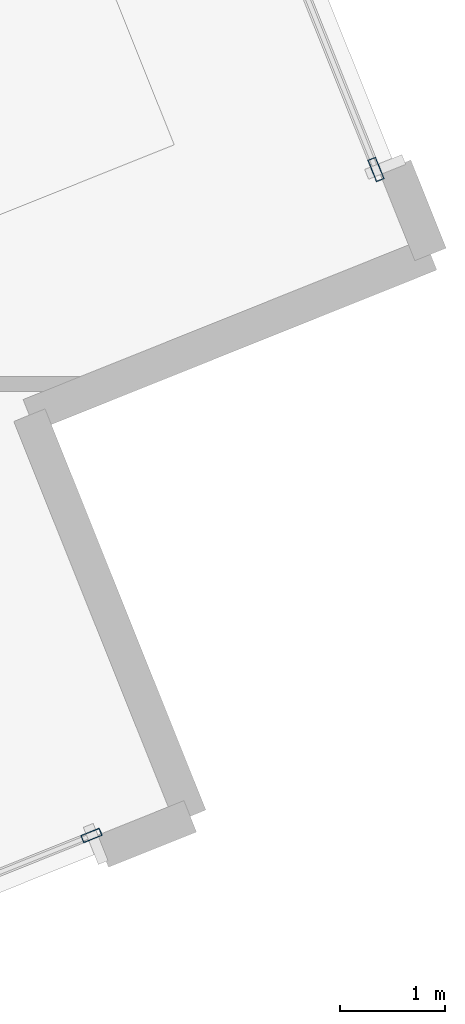
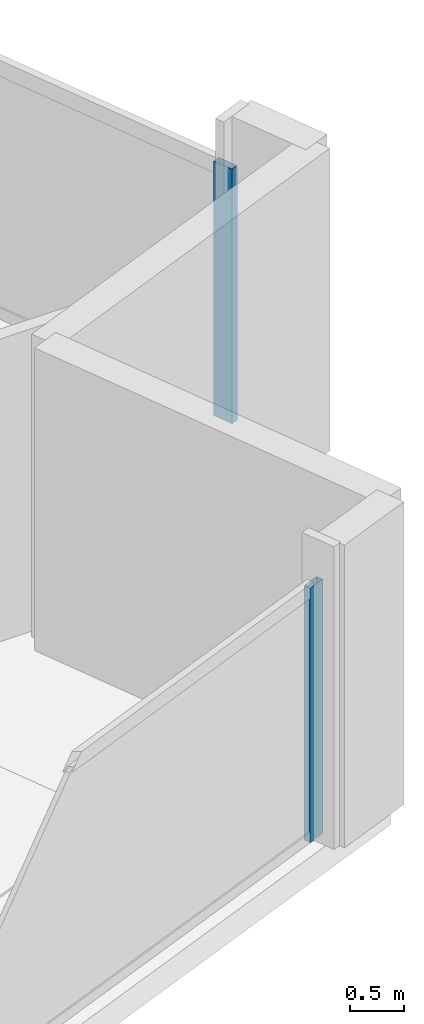
# One storey, part 11 of 33: 2 members, 2 elements without a shape of their own.
"""IFC4 building model written with IfcOpenShell, lengths in metres."""

from ifc_helpers import new_model, si_unit, direction, frame, origin, origin_2d, place, context, subcontext, project, spatial, hollow_rectangle, extrude, material, material_profile, profile_set, type_object, element, aggregate, save


model = new_model("IFC4")

# Units and contexts
model_context = context("Model", 3, precision=1e-05, world=origin(), true_north=direction((0.0, 1.0)))
body_context = subcontext(model_context, "Body", "Model", "MODEL_VIEW")
ifc_project = project(units=[si_unit("LENGTHUNIT", "METRE"), si_unit("AREAUNIT", "SQUARE_METRE"), si_unit("VOLUMEUNIT", "CUBIC_METRE"), si_unit("PLANEANGLEUNIT", "RADIAN"), si_unit("MASSUNIT", "GRAM", prefix="KILO")], contexts=[model_context])

# Site, building, storey
site_placement = place(None, origin())
site = spatial("IfcSite", under=ifc_project, at=site_placement, CompositionType="ELEMENT")
building_placement = place(site_placement, origin())
building = spatial("IfcBuilding", under=site, at=building_placement, Name="Haldenkirk Collegiate Tower", CompositionType="ELEMENT")
storey_placement = place(building_placement, frame((0.0, 0.0, 101.699951171875)))
storey = spatial("IfcBuildingStorey", under=building, at=storey_placement, Name="L24", CompositionType="ELEMENT", Elevation=101.699951171875)

# Curtain wall, member
ifc_material = material(Name="Anodised architectural bronze aluminium", Category="aluminium")
curtain_wall_type_1 = type_object("IfcCurtainWallType", Name="CW-SYS2-CONCAVE", PredefinedType="USERDEFINED", material=ifc_material)
curtain_wall_1_placement = place(storey_placement, origin())
curtain_wall_1 = element("IfcCurtainWall", 1, at=curtain_wall_1_placement, inside=storey, type_object=curtain_wall_type_1, Name="L24 South concave recessed bronze-anodised curtain wall", ObjectType="UNITISED CURTAIN WALL", PredefinedType="USERDEFINED")
ifc_material_profile_1 = material_profile(ifc_material, hollow_rectangle(XDim=0.074951171875, YDim=0.18994140625, WallThickness=0.0048828125, at=origin_2d()), Name="CW-MUL-02")
ifc_profile_set_1 = profile_set([ifc_material_profile_1], Name="Anodised architectural bronze aluminium")
member_type_1 = type_object("IfcMemberType", Name="CW-MUL-02", PredefinedType="MULLION", material=ifc_profile_set_1)
member_1_placement = place(storey_placement, frame((64.600830078125, 11.26611328125, 0.0), z_axis=(0.0, 0.0, 1.0), x_axis=(0.372177026355, -0.928161764486, 0.0)))
member_1 = element("IfcMember", 2, at=member_1_placement, type_object=member_type_1, Name="CW-02 mullion 1", PredefinedType="MULLION", context=body_context, shape_type="SweptSolid", body=[
    extrude(hollow_rectangle(XDim=0.074951171875, YDim=0.18994140625, WallThickness=0.0048828125, at=origin_2d()), origin(), (0.0, 0.0, 1.0), 2.901123046875),
])
aggregate(curtain_wall_1, [member_1])

curtain_wall_type_2 = type_object("IfcCurtainWallType", Name="CW-SYS1-CONVEX-LOW", PredefinedType="USERDEFINED", material=ifc_material)
curtain_wall_2_placement = place(storey_placement, origin())
curtain_wall_2 = element("IfcCurtainWall", 3, at=curtain_wall_2_placement, inside=storey, type_object=curtain_wall_type_2, Name="L24 Lower tower convex bronze-framed unitised curtain wall", ObjectType="UNITISED CURTAIN WALL", PredefinedType="USERDEFINED")
ifc_material_profile_2 = material_profile(ifc_material, hollow_rectangle(XDim=0.080078125, YDim=0.219970703125, WallThickness=0.0048828125, at=origin_2d()), Name="CW-MUL-1A")
ifc_profile_set_2 = profile_set([ifc_material_profile_2], Name="Anodised architectural bronze aluminium")
member_type_2 = type_object("IfcMemberType", Name="CW-MUL-1A", PredefinedType="MULLION", material=ifc_profile_set_2)
member_2_placement = place(storey_placement, frame((67.30029296875, 17.584716796875, 0.0), z_axis=(0.0, 0.0, 1.0), x_axis=(0.928162513726, 0.372175157841, 0.0)))
member_2 = element("IfcMember", 4, at=member_2_placement, type_object=member_type_2, Name="CW-1A mullion 5", PredefinedType="MULLION", context=body_context, shape_type="SweptSolid", body=[
    extrude(hollow_rectangle(XDim=0.080078125, YDim=0.219970703125, WallThickness=0.0048828125, at=origin_2d()), origin(), (0.0, 0.0, 1.0), 2.901123046875),
])
aggregate(curtain_wall_2, [member_2])

save(model, "model.ifc")
